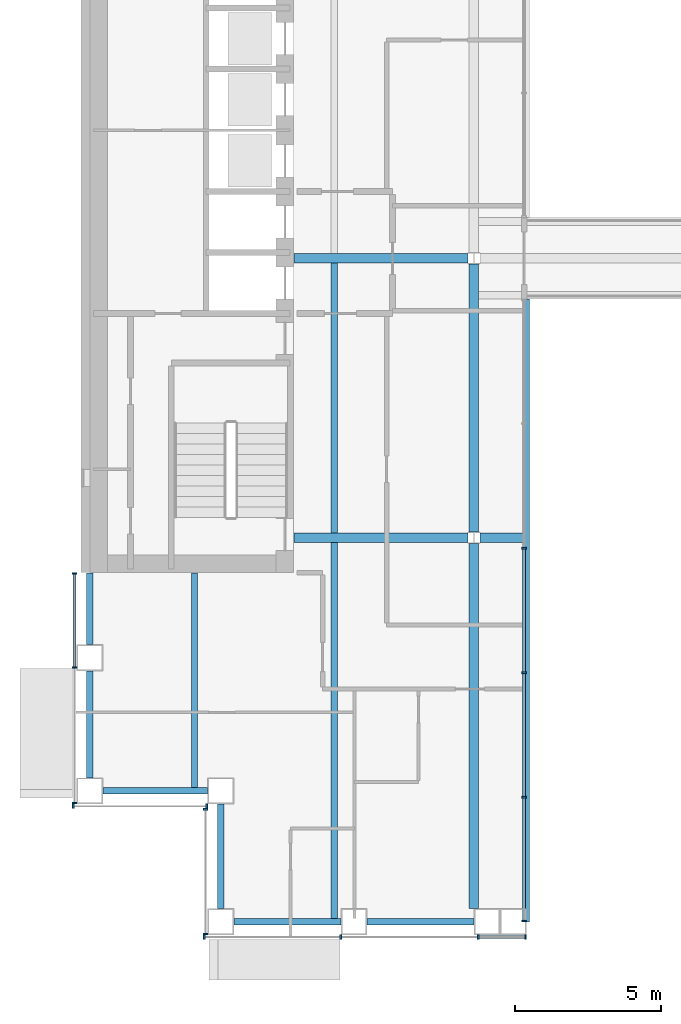
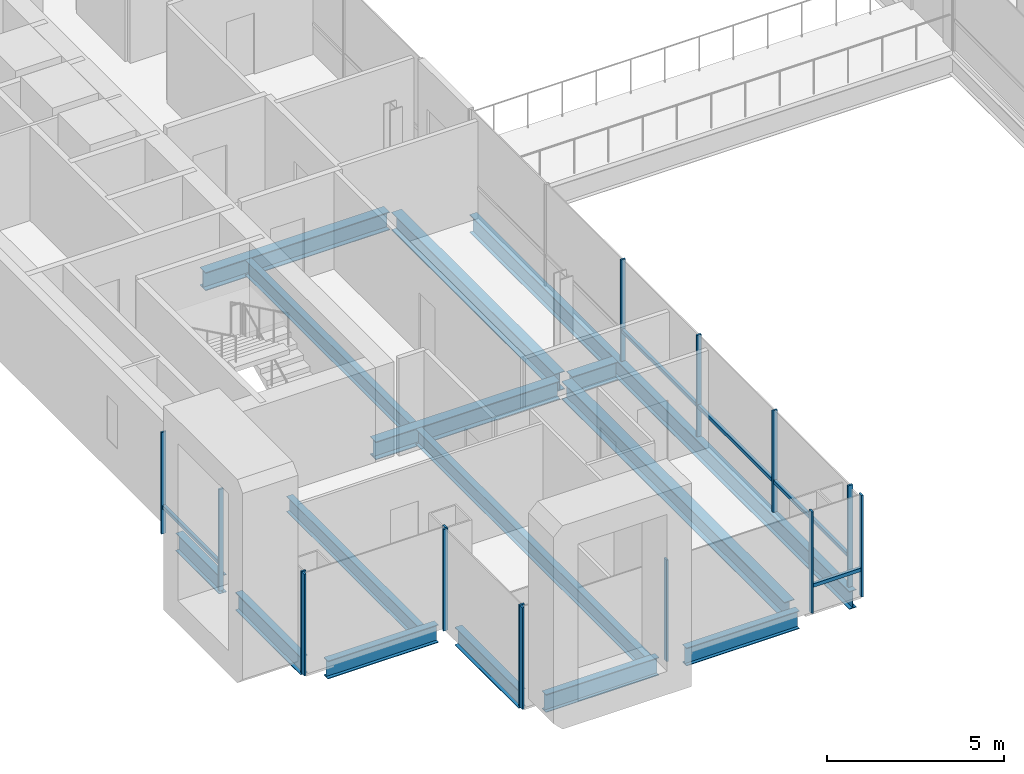
# One storey, part 2 of 17: 20 members, 15 beams, 5 elements without a shape of their own.
"""IFC4 building model written with IfcOpenShell, lengths in metres."""

from ifc_helpers import new_model, si_unit, direction, frame, origin, origin_2d, place, context, subcontext, project, spatial, rectangle, i_section, extrude, material, material_profile, profile_set, type_object, element, aggregate, save


model = new_model("IFC4")

# Units and contexts
model_context = context("Model", 3, precision=1e-05, world=origin(), true_north=direction((0.0, 1.0)))
body_context = subcontext(model_context, "Body", "Model", "MODEL_VIEW")
ifc_project = project(units=[si_unit("LENGTHUNIT", "METRE"), si_unit("AREAUNIT", "SQUARE_METRE"), si_unit("VOLUMEUNIT", "CUBIC_METRE"), si_unit("PLANEANGLEUNIT", "RADIAN"), si_unit("MASSUNIT", "GRAM", prefix="KILO")], contexts=[model_context])

# Site, building, storey
site_placement = place(None, origin())
site = spatial("IfcSite", under=ifc_project, at=site_placement, CompositionType="ELEMENT")
building_placement = place(site_placement, origin())
building = spatial("IfcBuilding", under=site, at=building_placement, Name="Cobrizo Arcos Hotel Tower", CompositionType="ELEMENT")
storey_placement = place(building_placement, frame((0.0, 0.0, 131.0)))
storey = spatial("IfcBuildingStorey", under=building, at=storey_placement, Name="L33", CompositionType="ELEMENT", Elevation=131.0)

# Curtain wall, members
ifc_material_1 = material(Name="Aluminium 6063-T6 anodised bronze", Category="aluminium")
curtain_wall_type_1 = type_object("IfcCurtainWallType", Name="CW-A guest facade", PredefinedType="NOTDEFINED", material=ifc_material_1)
curtain_wall_1_placement = place(storey_placement, origin())
curtain_wall_1 = element("IfcCurtainWall", 1, at=curtain_wall_1_placement, inside=storey, type_object=curtain_wall_type_1, Name="CW-A L33 S face", PredefinedType="NOTDEFINED")
ifc_material_profile_1 = material_profile(ifc_material_1, rectangle(XDim=0.14990234375, YDim=0.06005859375, at=origin_2d()), Name="CW-A mullion 150x60")
ifc_profile_set_1 = profile_set([ifc_material_profile_1], Name="Aluminium 6063-T6 anodised bronze")
member_type_1 = type_object("IfcMemberType", Name="CW-A mullion 150x60", PredefinedType="MULLION", material=ifc_profile_set_1)
member_1_placement = place(storey_placement, frame((-18.8701171875, -23.324951171875, 0.0), z_axis=(0.0, 0.0, 1.0), x_axis=(0.0, -1.0, 0.0)))
member_1 = element("IfcMember", 2, at=member_1_placement, type_object=member_type_1, Name="CW-A mullion 1", PredefinedType="MULLION", context=body_context, shape_type="SweptSolid", body=[
    extrude(rectangle(XDim=0.14990234375, YDim=0.06005859375, at=origin_2d()), origin(), (0.0, 0.0, 1.0), 3.5),
])
member_2_placement = place(storey_placement, frame((-14.175048828125, -23.324951171875, 0.0), z_axis=(0.0, 0.0, 1.0), x_axis=(0.0, -1.0, 0.0)))
member_2 = element("IfcMember", 3, at=member_2_placement, type_object=member_type_1, Name="CW-A mullion 2", PredefinedType="MULLION", context=body_context, shape_type="SweptSolid", body=[
    extrude(rectangle(XDim=0.14990234375, YDim=0.06005859375, at=origin_2d()), origin(), (0.0, 0.0, 1.0), 3.5),
])
member_3_placement = place(storey_placement, frame((-9.449951171875, -23.324951171875, 0.0), z_axis=(0.0, 0.0, 1.0), x_axis=(0.0, -1.0, 0.0)))
member_3 = element("IfcMember", 4, at=member_3_placement, type_object=member_type_1, Name="CW-A mullion 3", PredefinedType="MULLION", context=body_context, shape_type="SweptSolid", body=[
    extrude(rectangle(XDim=0.14990234375, YDim=0.06005859375, at=origin_2d()), origin(), (0.0, 0.0, 1.0), 3.5),
])
member_4_placement = place(storey_placement, frame((-7.830078125, -23.324951171875, 0.0), z_axis=(0.0, 0.0, 1.0), x_axis=(0.0, -1.0, 0.0)))
member_4 = element("IfcMember", 5, at=member_4_placement, type_object=member_type_1, Name="CW-A mullion 4", PredefinedType="MULLION", context=body_context, shape_type="SweptSolid", body=[
    extrude(rectangle(XDim=0.14990234375, YDim=0.06005859375, at=origin_2d()), origin(), (0.0, 0.0, 1.0), 3.5),
])

curtain_wall_2_placement = place(storey_placement, origin())
curtain_wall_2 = element("IfcCurtainWall", 6, at=curtain_wall_2_placement, inside=storey, type_object=curtain_wall_type_1, Name="CW-A L33 W face", PredefinedType="NOTDEFINED")
member_5_placement = place(storey_placement, frame((-23.324951171875, -10.830078125, 0.0), z_axis=(0.0, 0.0, 1.0), x_axis=(-1.0, 0.0, 0.0)))
member_5 = element("IfcMember", 7, at=member_5_placement, type_object=member_type_1, Name="CW-A mullion 1", PredefinedType="MULLION", context=body_context, shape_type="SweptSolid", body=[
    extrude(rectangle(XDim=0.14990234375, YDim=0.06005859375, at=origin_2d()), origin(), (0.0, 0.0, 1.0), 3.5),
])
member_6_placement = place(storey_placement, frame((-23.324951171875, -14.0625, 0.0), z_axis=(0.0, 0.0, 1.0), x_axis=(-1.0, 0.0, 0.0)))
member_6 = element("IfcMember", 8, at=member_6_placement, type_object=member_type_1, Name="CW-A mullion 2", PredefinedType="MULLION", context=body_context, shape_type="SweptSolid", body=[
    extrude(rectangle(XDim=0.14990234375, YDim=0.06005859375, at=origin_2d()), origin(), (0.0, 0.0, 1.0), 3.5),
])
member_7_placement = place(storey_placement, frame((-23.324951171875, -18.719970703125, 0.0), z_axis=(0.0, 0.0, 1.0), x_axis=(-1.0, 0.0, 0.0)))
member_7 = element("IfcMember", 9, at=member_7_placement, type_object=member_type_1, Name="CW-A mullion 3", PredefinedType="MULLION", context=body_context, shape_type="SweptSolid", body=[
    extrude(rectangle(XDim=0.14990234375, YDim=0.06005859375, at=origin_2d()), origin(), (0.0, 0.0, 1.0), 3.5),
])

curtain_wall_3_placement = place(storey_placement, origin())
curtain_wall_3 = element("IfcCurtainWall", 10, at=curtain_wall_3_placement, inside=storey, type_object=curtain_wall_type_1, Name="CW-A L33 S face", PredefinedType="NOTDEFINED")
member_8_placement = place(storey_placement, frame((-23.3701171875, -18.824951171875, 0.0), z_axis=(0.0, 0.0, 1.0), x_axis=(0.0, -1.0, 0.0)))
member_8 = element("IfcMember", 11, at=member_8_placement, type_object=member_type_1, Name="CW-A mullion 1", PredefinedType="MULLION", context=body_context, shape_type="SweptSolid", body=[
    extrude(rectangle(XDim=0.14990234375, YDim=0.06005859375, at=origin_2d()), origin(), (0.0, 0.0, 1.0), 3.5),
])
member_9_placement = place(storey_placement, frame((-18.780029296875, -18.824951171875, 0.0), z_axis=(0.0, 0.0, 1.0), x_axis=(0.0, -1.0, 0.0)))
member_9 = element("IfcMember", 12, at=member_9_placement, type_object=member_type_1, Name="CW-A mullion 2", PredefinedType="MULLION", context=body_context, shape_type="SweptSolid", body=[
    extrude(rectangle(XDim=0.14990234375, YDim=0.06005859375, at=origin_2d()), origin(), (0.0, 0.0, 1.0), 3.5),
])
aggregate(curtain_wall_3, [member_8, member_9])

curtain_wall_4_placement = place(storey_placement, origin())
curtain_wall_4 = element("IfcCurtainWall", 13, at=curtain_wall_4_placement, inside=storey, type_object=curtain_wall_type_1, Name="CW-A L33 W face", PredefinedType="NOTDEFINED")
member_10_placement = place(storey_placement, frame((-18.824951171875, -18.929931640625, 0.0), z_axis=(0.0, 0.0, 1.0), x_axis=(-1.0, 0.0, 0.0)))
member_10 = element("IfcMember", 14, at=member_10_placement, type_object=member_type_1, Name="CW-A mullion 1", PredefinedType="MULLION", context=body_context, shape_type="SweptSolid", body=[
    extrude(rectangle(XDim=0.14990234375, YDim=0.06005859375, at=origin_2d()), origin(), (0.0, 0.0, 1.0), 3.5),
])
member_11_placement = place(storey_placement, frame((-18.824951171875, -23.219970703125, 0.0), z_axis=(0.0, 0.0, 1.0), x_axis=(-1.0, 0.0, 0.0)))
member_11 = element("IfcMember", 15, at=member_11_placement, type_object=member_type_1, Name="CW-A mullion 2", PredefinedType="MULLION", context=body_context, shape_type="SweptSolid", body=[
    extrude(rectangle(XDim=0.14990234375, YDim=0.06005859375, at=origin_2d()), origin(), (0.0, 0.0, 1.0), 3.5),
])
aggregate(curtain_wall_4, [member_10, member_11])

# Member
ifc_material_profile_2 = material_profile(ifc_material_1, rectangle(XDim=0.10009765625, YDim=0.1201171875, at=origin_2d()), Name="CW-A transom 120x100")
ifc_profile_set_2 = profile_set([ifc_material_profile_2], Name="Aluminium 6063-T6 anodised bronze")
member_type_2 = type_object("IfcMemberType", Name="CW-A transom 120x100", PredefinedType="USERDEFINED", material=ifc_profile_set_2)
member_12_placement = place(storey_placement, frame((-9.419921875, -23.324951171875, 0.929931640625), z_axis=(1.0, 0.0, 0.0), x_axis=(0.0, 1.0, 0.0)))
member_12 = element("IfcMember", 16, at=member_12_placement, type_object=member_type_2, Name="CW-A transom 1221", ObjectType="TRANSOM", PredefinedType="USERDEFINED", context=body_context, shape_type="SweptSolid", body=[
    extrude(rectangle(XDim=0.10009765625, YDim=0.1201171875, at=origin_2d()), origin(), (0.0, 0.0, 1.0), 1.559814453125),
])

aggregate(curtain_wall_1, [member_1, member_2, member_3, member_4, member_12])

member_13_placement = place(storey_placement, frame((-23.324951171875, -10.860107421875, 0.929931640625), z_axis=(0.0, -1.0, 0.0), x_axis=(1.0, 0.0, 0.0)))
member_13 = element("IfcMember", 17, at=member_13_placement, type_object=member_type_2, Name="CW-A transom 1243", ObjectType="TRANSOM", PredefinedType="USERDEFINED", context=body_context, shape_type="SweptSolid", body=[
    extrude(rectangle(XDim=0.10009765625, YDim=0.1201171875, at=origin_2d()), origin(), (0.0, 0.0, 1.0), 3.17236328125),
])

aggregate(curtain_wall_2, [member_5, member_6, member_7, member_13])

# Curtain wall, members
curtain_wall_type_2 = type_object("IfcCurtainWallType", Name="CW-F void screen", PredefinedType="NOTDEFINED", material=ifc_material_1)
curtain_wall_5_placement = place(storey_placement, origin())
curtain_wall_5 = element("IfcCurtainWall", 18, at=curtain_wall_5_placement, inside=storey, type_object=curtain_wall_type_2, Name="CW-F L33 void screen B", PredefinedType="NOTDEFINED")
ifc_material_profile_3 = material_profile(ifc_material_1, rectangle(XDim=0.14990234375, YDim=0.06005859375, at=origin_2d()), Name="CW-F mullion 150x60")
ifc_profile_set_3 = profile_set([ifc_material_profile_3], Name="Aluminium 6063-T6 anodised bronze")
member_type_3 = type_object("IfcMemberType", Name="CW-F mullion 150x60", PredefinedType="MULLION", material=ifc_profile_set_3)
member_14_placement = place(storey_placement, frame((-7.875, -9.9599609375, 0.0), z_axis=(0.0, 0.0, 1.0), x_axis=(-1.0, 0.0, 0.0)))
member_14 = element("IfcMember", 19, at=member_14_placement, type_object=member_type_3, Name="CW-F mullion 3", PredefinedType="MULLION", context=body_context, shape_type="SweptSolid", body=[
    extrude(rectangle(XDim=0.14990234375, YDim=0.06005859375, at=origin_2d()), origin(), (0.0, 0.0, 1.0), 3.5),
])
member_15_placement = place(storey_placement, frame((-7.875, -14.239990234375, 0.0), z_axis=(0.0, 0.0, 1.0), x_axis=(-1.0, 0.0, 0.0)))
member_15 = element("IfcMember", 20, at=member_15_placement, type_object=member_type_3, Name="CW-F mullion 4", PredefinedType="MULLION", context=body_context, shape_type="SweptSolid", body=[
    extrude(rectangle(XDim=0.14990234375, YDim=0.06005859375, at=origin_2d()), origin(), (0.0, 0.0, 1.0), 3.5),
])
member_16_placement = place(storey_placement, frame((-7.875, -18.52001953125, 0.0), z_axis=(0.0, 0.0, 1.0), x_axis=(-1.0, 0.0, 0.0)))
member_16 = element("IfcMember", 21, at=member_16_placement, type_object=member_type_3, Name="CW-F mullion 5", PredefinedType="MULLION", context=body_context, shape_type="SweptSolid", body=[
    extrude(rectangle(XDim=0.14990234375, YDim=0.06005859375, at=origin_2d()), origin(), (0.0, 0.0, 1.0), 3.5),
])
member_17_placement = place(storey_placement, frame((-7.875, -22.77001953125, 0.0), z_axis=(0.0, 0.0, 1.0), x_axis=(-1.0, 0.0, 0.0)))
member_17 = element("IfcMember", 22, at=member_17_placement, type_object=member_type_3, Name="CW-F mullion 6", PredefinedType="MULLION", context=body_context, shape_type="SweptSolid", body=[
    extrude(rectangle(XDim=0.14990234375, YDim=0.06005859375, at=origin_2d()), origin(), (0.0, 0.0, 1.0), 3.5),
])
ifc_material_profile_4 = material_profile(ifc_material_1, rectangle(XDim=0.10009765625, YDim=0.1201171875, at=origin_2d()), Name="CW-F transom 120x100")
ifc_profile_set_4 = profile_set([ifc_material_profile_4], Name="Aluminium 6063-T6 anodised bronze")
member_type_4 = type_object("IfcMemberType", Name="CW-F transom 120x100", PredefinedType="USERDEFINED", material=ifc_profile_set_4)
member_18_placement = place(storey_placement, frame((-7.875, -9.989990234375, 1.050048828125), z_axis=(0.0, -1.0, 0.0), x_axis=(1.0, 0.0, 0.0)))
member_18 = element("IfcMember", 23, at=member_18_placement, type_object=member_type_4, Name="CW-F transom 2663", ObjectType="TRANSOM", PredefinedType="USERDEFINED", context=body_context, shape_type="SweptSolid", body=[
    extrude(rectangle(XDim=0.10009765625, YDim=0.1201171875, at=origin_2d()), origin(), (0.0, 0.0, 1.0), 4.219970703125),
])
member_19_placement = place(storey_placement, frame((-7.875, -14.27001953125, 1.050048828125), z_axis=(0.0, -1.0, 0.0), x_axis=(1.0, 0.0, 0.0)))
member_19 = element("IfcMember", 24, at=member_19_placement, type_object=member_type_4, Name="CW-F transom 2664", ObjectType="TRANSOM", PredefinedType="USERDEFINED", context=body_context, shape_type="SweptSolid", body=[
    extrude(rectangle(XDim=0.10009765625, YDim=0.1201171875, at=origin_2d()), origin(), (0.0, 0.0, 1.0), 4.219970703125),
])
member_20_placement = place(storey_placement, frame((-7.875, -18.550048828125, 1.050048828125), z_axis=(0.0, -1.0, 0.0), x_axis=(1.0, 0.0, 0.0)))
member_20 = element("IfcMember", 25, at=member_20_placement, type_object=member_type_4, Name="CW-F transom 2665", ObjectType="TRANSOM", PredefinedType="USERDEFINED", context=body_context, shape_type="SweptSolid", body=[
    extrude(rectangle(XDim=0.10009765625, YDim=0.1201171875, at=origin_2d()), origin(), (0.0, 0.0, 1.0), 4.18994140625),
])
aggregate(curtain_wall_5, [member_14, member_15, member_16, member_17, member_18, member_19, member_20])

# Beams
ifc_material_2 = material(Name="Steel ASTM A992 Grade 50", Category="steel")
ifc_material_profile_5 = material_profile(ifc_material_2, i_section(OverallWidth=0.209228515625, OverallDepth=0.533447265625, WebThickness=0.01025390625, FlangeThickness=0.015625, at=origin_2d()), Name="W21X62")
ifc_profile_set_5 = profile_set([ifc_material_profile_5], Name="Steel ASTM A992 Grade 50")
beam_type_1 = type_object("IfcBeamType", Name="W21X62 joist", PredefinedType="JOIST", material=ifc_profile_set_5)
beam_1_placement = place(storey_placement, frame((-19.199951171875, -18.2099609375, -0.416748046875), z_axis=(0.0, 1.0, 0.0), x_axis=(-1.0, 0.0, 0.0)))
element("IfcBeam", 26, at=beam_1_placement, inside=storey, type_object=beam_type_1, Name="Floor joist J1, L33, no. 001", PredefinedType="JOIST", context=body_context, shape_type="SweptSolid", body=[
    extrude(i_section(OverallWidth=0.209228515625, OverallDepth=0.533447265625, WebThickness=0.01025390625, FlangeThickness=0.015625, at=origin_2d()), origin(), (0.0, 0.0, 1.0), 7.39990234375),
])
beam_2_placement = place(storey_placement, frame((-14.39990234375, -22.7099609375, -0.416748046875), z_axis=(0.0, 1.0, 0.0), x_axis=(-1.0, 0.0, 0.0)))
element("IfcBeam", 27, at=beam_2_placement, inside=storey, type_object=beam_type_1, Name="Floor joist J1, L33, no. 003", PredefinedType="JOIST", context=body_context, shape_type="SweptSolid", body=[
    extrude(i_section(OverallWidth=0.209228515625, OverallDepth=0.533447265625, WebThickness=0.01025390625, FlangeThickness=0.015625, at=origin_2d()), origin(), (0.0, 0.0, 1.0), 12.946044921875),
])
beam_3_placement = place(storey_placement, frame((-14.39990234375, -9.43603515625, -0.416748046875), z_axis=(0.0, 1.0, 0.0), x_axis=(-1.0, 0.0, 0.0)))
element("IfcBeam", 28, at=beam_3_placement, inside=storey, type_object=beam_type_1, Name="Floor joist J1, L33, no. 004", PredefinedType="JOIST", context=body_context, shape_type="SweptSolid", body=[
    extrude(i_section(OverallWidth=0.209228515625, OverallDepth=0.533447265625, WebThickness=0.01025390625, FlangeThickness=0.015625, at=origin_2d()), origin(), (0.0, 0.0, 1.0), 9.272216796875),
])
ifc_material_profile_6 = material_profile(ifc_material_2, i_section(OverallWidth=0.32763671875, OverallDepth=0.622314453125, WebThickness=0.015380859375, FlangeThickness=0.0244140625, at=origin_2d()), Name="W24X131")
ifc_profile_set_6 = profile_set([ifc_material_profile_6], Name="Steel ASTM A992 Grade 50")
beam_type_2 = type_object("IfcBeamType", Name="W24X131 girder", PredefinedType="BEAM", material=ifc_profile_set_6)
beam_4_placement = place(storey_placement, frame((-15.7900390625, -9.60009765625, -0.461181640625), z_axis=(1.0, 0.0, 0.0), x_axis=(0.0, 1.0, 0.0)))
element("IfcBeam", 29, at=beam_4_placement, inside=storey, type_object=beam_type_2, Name="Floor girder G1, L33, no. 001", PredefinedType="BEAM", context=body_context, shape_type="SweptSolid", body=[
    extrude(i_section(OverallWidth=0.32763671875, OverallDepth=0.622314453125, WebThickness=0.015380859375, FlangeThickness=0.0244140625, at=origin_2d()), origin(), (0.0, 0.0, 1.0), 5.99072265625),
])
beam_5_placement = place(storey_placement, frame((-9.400634765625, -9.60009765625, -0.461181640625), z_axis=(1.0, 0.0, 0.0), x_axis=(0.0, 1.0, 0.0)))
element("IfcBeam", 30, at=beam_5_placement, inside=storey, type_object=beam_type_2, Name="Floor girder G1, L33, no. 002", PredefinedType="BEAM", context=body_context, shape_type="SweptSolid", body=[
    extrude(i_section(OverallWidth=0.32763671875, OverallDepth=0.622314453125, WebThickness=0.015380859375, FlangeThickness=0.0244140625, at=origin_2d()), origin(), (0.0, 0.0, 1.0), 1.5107421875),
])
beam_6_placement = place(storey_placement, frame((-15.7900390625, 0.0, -0.461181640625), z_axis=(1.0, 0.0, 0.0), x_axis=(0.0, 1.0, 0.0)))
element("IfcBeam", 31, at=beam_6_placement, inside=storey, type_object=beam_type_2, Name="Floor girder G1, L33, no. 005", PredefinedType="BEAM", context=body_context, shape_type="SweptSolid", body=[
    extrude(i_section(OverallWidth=0.32763671875, OverallDepth=0.622314453125, WebThickness=0.015380859375, FlangeThickness=0.0244140625, at=origin_2d()), origin(), (0.0, 0.0, 1.0), 5.99072265625),
])
beam_7_placement = place(storey_placement, frame((-9.60009765625, -22.35009765625, -0.461181640625), z_axis=(0.0, 1.0, 0.0), x_axis=(-1.0, 0.0, 0.0)))
element("IfcBeam", 32, at=beam_7_placement, inside=storey, type_object=beam_type_2, Name="Floor girder G1, L33, no. 012", PredefinedType="BEAM", context=body_context, shape_type="SweptSolid", body=[
    extrude(i_section(OverallWidth=0.32763671875, OverallDepth=0.622314453125, WebThickness=0.015380859375, FlangeThickness=0.0244140625, at=origin_2d()), origin(), (0.0, 0.0, 1.0), 12.55078125),
])
beam_8_placement = place(storey_placement, frame((-9.60009765625, -9.400634765625, -0.461181640625), z_axis=(0.0, 1.0, 0.0), x_axis=(-1.0, 0.0, 0.0)))
element("IfcBeam", 33, at=beam_8_placement, inside=storey, type_object=beam_type_2, Name="Floor girder G1, L33, no. 013", PredefinedType="BEAM", context=body_context, shape_type="SweptSolid", body=[
    extrude(i_section(OverallWidth=0.32763671875, OverallDepth=0.622314453125, WebThickness=0.015380859375, FlangeThickness=0.0244140625, at=origin_2d()), origin(), (0.0, 0.0, 1.0), 9.201171875),
])
ifc_material_profile_7 = material_profile(ifc_material_2, i_section(OverallWidth=0.23046875, OverallDepth=0.6171875, WebThickness=0.01318359375, FlangeThickness=0.022216796875, at=origin_2d()), Name="W24X94")
ifc_profile_set_7 = profile_set([ifc_material_profile_7], Name="Steel ASTM A992 Grade 50")
beam_type_3 = type_object("IfcBeamType", Name="W24X94 spandrel", PredefinedType="SPANDREL", material=ifc_profile_set_7)
beam_9_placement = place(storey_placement, frame((-7.800048828125, -1.39990234375, -0.45849609375), z_axis=(0.0, -1.0, 0.0), x_axis=(1.0, 0.0, 0.0)))
element("IfcBeam", 34, at=beam_9_placement, inside=storey, type_object=beam_type_3, Name="Spandrel beam W24X94, L33, no. 011", PredefinedType="SPANDREL", context=body_context, shape_type="SweptSolid", body=[
    extrude(i_section(OverallWidth=0.23046875, OverallDepth=0.6171875, WebThickness=0.01318359375, FlangeThickness=0.022216796875, at=origin_2d()), origin(), (0.0, 0.0, 1.0), 21.400146484375),
])
beam_10_placement = place(storey_placement, frame((-9.60009765625, -22.800048828125, -0.45849609375), z_axis=(-1.0, 0.0, 0.0), x_axis=(0.0, -1.0, 0.0)))
element("IfcBeam", 35, at=beam_10_placement, inside=storey, type_object=beam_type_3, Name="Spandrel beam W24X94, L33, no. 012", PredefinedType="SPANDREL", context=body_context, shape_type="SweptSolid", body=[
    extrude(i_section(OverallWidth=0.23046875, OverallDepth=0.6171875, WebThickness=0.01318359375, FlangeThickness=0.022216796875, at=origin_2d()), origin(), (0.0, 0.0, 1.0), 3.6748046875),
])
beam_11_placement = place(storey_placement, frame((-14.175048828125, -22.800048828125, -0.45849609375), z_axis=(-1.0, 0.0, 0.0), x_axis=(0.0, -1.0, 0.0)))
element("IfcBeam", 36, at=beam_11_placement, inside=storey, type_object=beam_type_3, Name="Spandrel beam W24X94, L33, no. 013", PredefinedType="SPANDREL", context=body_context, shape_type="SweptSolid", body=[
    extrude(i_section(OverallWidth=0.23046875, OverallDepth=0.6171875, WebThickness=0.01318359375, FlangeThickness=0.022216796875, at=origin_2d()), origin(), (0.0, 0.0, 1.0), 3.675048828125),
])
for number, where, z_axis, x_axis, name in (
    (37, (-18.300048828125, -22.35009765625, -0.45849609375), (0.0, 1.0, 0.0), (-1.0, 0.0, 0.0), "Spandrel beam W24X94, L33, no. 014"),
    (38, (-18.75, -18.300048828125, -0.45849609375), (-1.0, 0.0, 0.0), (0.0, -1.0, 0.0), "Spandrel beam W24X94, L33, no. 015"),
):
    element("IfcBeam", number, at=place(storey_placement, frame(where, z_axis=z_axis, x_axis=x_axis)), inside=storey, type_object=beam_type_3, Name=name, PredefinedType="SPANDREL", context=body_context, shape_type="SweptSolid", body=[
        extrude(i_section(OverallWidth=0.23046875, OverallDepth=0.6171875, WebThickness=0.01318359375, FlangeThickness=0.022216796875, at=origin_2d()), origin(), (0.0, 0.0, 1.0), 3.60009765625),
    ])
beam_12_placement = place(storey_placement, frame((-22.800048828125, -17.85009765625, -0.45849609375), z_axis=(0.0, 1.0, 0.0), x_axis=(-1.0, 0.0, 0.0)))
element("IfcBeam", 39, at=beam_12_placement, inside=storey, type_object=beam_type_3, Name="Spandrel beam W24X94, L33, no. 016", PredefinedType="SPANDREL", context=body_context, shape_type="SweptSolid", body=[
    extrude(i_section(OverallWidth=0.23046875, OverallDepth=0.6171875, WebThickness=0.01318359375, FlangeThickness=0.022216796875, at=origin_2d()), origin(), (0.0, 0.0, 1.0), 3.675048828125),
])
beam_13_placement = place(storey_placement, frame((-22.800048828125, -13.27490234375, -0.45849609375), z_axis=(0.0, 1.0, 0.0), x_axis=(-1.0, 0.0, 0.0)))
element("IfcBeam", 40, at=beam_13_placement, inside=storey, type_object=beam_type_3, Name="Spandrel beam W24X94, L33, no. 017", PredefinedType="SPANDREL", context=body_context, shape_type="SweptSolid", body=[
    extrude(i_section(OverallWidth=0.23046875, OverallDepth=0.6171875, WebThickness=0.01318359375, FlangeThickness=0.022216796875, at=origin_2d()), origin(), (0.0, 0.0, 1.0), 2.46484375),
])

save(model, "model.ifc")
